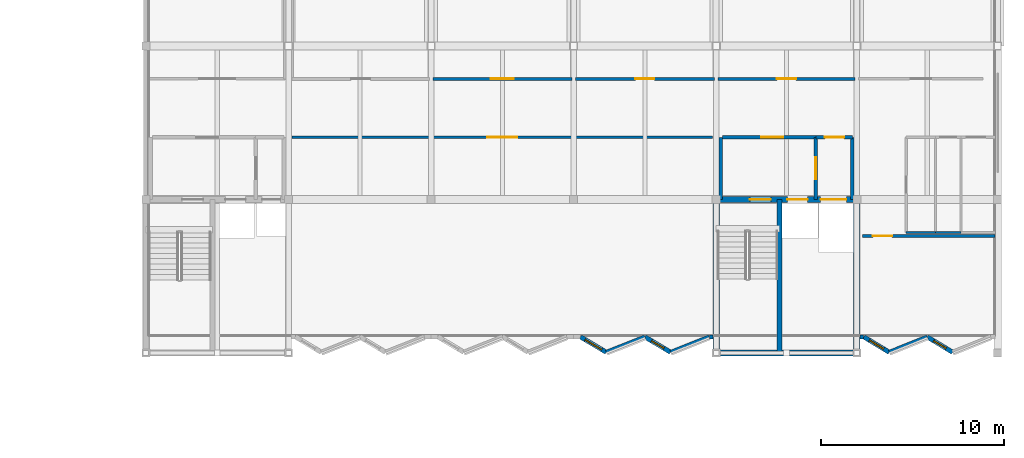
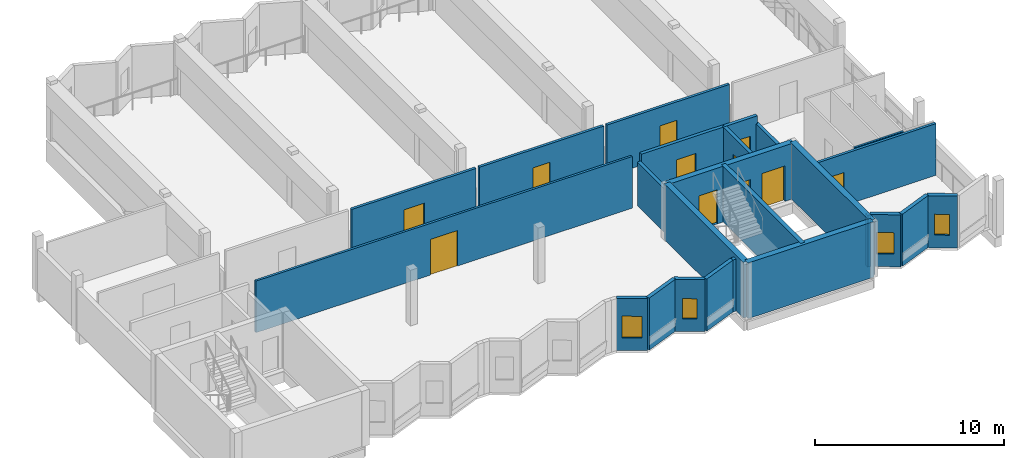
# One storey, part 26 of 34: 26 walls, 11 doors, 4 windows, 15 openings.
"""IFC4 building model written with IfcOpenShell, lengths in metres."""

from ifc_helpers import new_model, si_unit, direction, frame, frame_2d, origin, place, context, subcontext, project, spatial, rectangle, extrude, material, layer, layer_set, type_object, element, fill, save


model = new_model("IFC4")

# Units and contexts
model_context = context("Model", 3, precision=1e-05, world=origin(), true_north=direction((0.0, 1.0)))
body_context = subcontext(model_context, "Body", "Model", "MODEL_VIEW")
ifc_project = project(units=[si_unit("LENGTHUNIT", "METRE"), si_unit("AREAUNIT", "SQUARE_METRE"), si_unit("VOLUMEUNIT", "CUBIC_METRE"), si_unit("PLANEANGLEUNIT", "RADIAN"), si_unit("MASSUNIT", "GRAM", prefix="KILO")], contexts=[model_context])

# Site, building, storey
site_placement = place(None, origin())
site = spatial("IfcSite", under=ifc_project, at=site_placement, CompositionType="ELEMENT")
building_placement = place(site_placement, origin())
building = spatial("IfcBuilding", under=site, at=building_placement, Name="Vharandega Faculty of Natural Sciences", CompositionType="ELEMENT")
storey_placement = place(building_placement, frame((0.0, 0.0, 21.60009765625)))
storey = spatial("IfcBuildingStorey", under=building, at=storey_placement, Name="L05", CompositionType="ELEMENT", Elevation=21.60009765625)

# Walls
ifc_material_1 = material(Name="Concrete C40/50", Category="concrete")
ifc_layer_1 = layer(ifc_material_1, 0.35009765625, Name="Concrete C40/50")
ifc_layer_set_1 = layer_set([ifc_layer_1], Name="Concrete C40/50")
wall_type_1 = type_object("IfcWallType", Name="Core Shear Wall 350", PredefinedType="SHEAR", material=ifc_layer_set_1)
wall_1_placement = place(storey_placement, frame((146.0, 64.0, 0.0), z_axis=(0.0, 0.0, 1.0), x_axis=(1.0, 0.0, 0.0)))
element("IfcWall", 1, at=wall_1_placement, inside=storey, type_object=wall_type_1, Name="Interior Wall CW-C2-L05-S", PredefinedType="SHEAR", context=body_context, shape_type="SweptSolid", body=[
    extrude(rectangle(XDim=7.699951171875, YDim=0.35009765625, at=frame_2d((3.85009765625, 0.0))), origin(), (0.0, 0.0, 1.0), 3.599853515625),
])
for number, where, z_axis, x_axis, name in (
    (2, (146.0, 64.0, 0.0), (0.0, 0.0, 1.0), (0.0, 1.0, 0.0), "Interior Wall CW-C2-L05-W"),
    (3, (153.699951171875, 64.0, 0.0), (0.0, 0.0, 1.0), (0.0, 1.0, 0.0), "Interior Wall CW-C2-L05-E"),
):
    element("IfcWall", number, at=place(storey_placement, frame(where, z_axis=z_axis, x_axis=x_axis)), inside=storey, type_object=wall_type_1, Name=name, PredefinedType="SHEAR", context=body_context, shape_type="SweptSolid", body=[
        extrude(rectangle(XDim=8.39990234375, YDim=0.35009765625, at=frame_2d((4.199951171875, 0.0))), origin(), (0.0, 0.0, 1.0), 3.599853515625),
    ])

# Wall, openings, doors
wall_2_placement = place(storey_placement, frame((146.0, 72.39990234375, 0.0), z_axis=(0.0, 0.0, 1.0), x_axis=(1.0, 0.0, 0.0)))
wall_2 = element("IfcWall", 4, at=wall_2_placement, inside=storey, type_object=wall_type_1, Name="Interior Wall CW-C2-L05-N", PredefinedType="SHEAR", context=body_context, shape_type="SweptSolid", body=[
    extrude(rectangle(XDim=7.699951171875, YDim=0.35009765625, at=frame_2d((3.85009765625, 0.0))), origin(), (0.0, 0.0, 1.0), 3.599853515625),
])
opening_1_placement = place(wall_2_placement, frame((1.85009765625, 0.0, 0.0)))
opening_1 = element("IfcOpeningElement", 5, at=opening_1_placement, cuts=wall_2, Name="Opening FD1", PredefinedType="OPENING", context=body_context, shape_type="SweptSolid", body=[
    extrude(rectangle(XDim=1.14990234375, YDim=2.199951171875, at=frame_2d((0.574951171875, 1.10009765625))), frame((0.0, 0.18505859375, 0.0), z_axis=(0.0, -1.0, 0.0), x_axis=(1.0, 0.0, 0.0)), (0.0, 0.0, 1.0), 0.3701171875),
])
opening_2_placement = place(wall_2_placement, frame((3.89990234375, 0.0, 0.0)))
opening_2 = element("IfcOpeningElement", 6, at=opening_2_placement, cuts=wall_2, Name="Opening LD-FL2-L05", PredefinedType="OPENING", context=body_context, shape_type="SweptSolid", body=[
    extrude(rectangle(XDim=1.10009765625, YDim=2.14990234375, at=frame_2d((0.550048828125, 1.074951171875))), frame((0.0, 0.18505859375, 0.0), z_axis=(0.0, -1.0, 0.0), x_axis=(1.0, 0.0, 0.0)), (0.0, 0.0, 1.0), 0.3701171875),
])
opening_3_placement = place(wall_2_placement, frame((5.719970703125, 0.0, 0.0)))
opening_3 = element("IfcOpeningElement", 7, at=opening_3_placement, cuts=wall_2, Name="Opening LD-LG1-L05", PredefinedType="OPENING", context=body_context, shape_type="SweptSolid", body=[
    extrude(rectangle(XDim=1.39990234375, YDim=2.300048828125, at=frame_2d((0.699951171875, 1.14990234375))), frame((0.0, 0.18505859375, 0.0), z_axis=(0.0, -1.0, 0.0), x_axis=(1.0, 0.0, 0.0)), (0.0, 0.0, 1.0), 0.3701171875),
])
ifc_material_2 = material(Name="Solid-core hardwood timber fire door", Category="wood")
door_type_1 = type_object("IfcDoorType", Name="FD1-STAIR-1150x2200", OperationType="NOTDEFINED", PredefinedType="DOOR", material=ifc_material_2)
door_1_placement = place(opening_1_placement, origin())
door_1 = element("IfcDoor", 8, at=door_1_placement, inside=storey, type_object=door_type_1, Name="Stair ST2 Fire Door FD1", OperationType="SINGLE_SWING_LEFT", OverallHeight=2.199951171875, OverallWidth=1.14990234375, PredefinedType="DOOR", context=body_context, shape_type="SweptSolid", body=[
    extrude(rectangle(XDim=1.14990234375, YDim=2.199951171875, at=frame_2d((0.574951171875, 1.10009765625))), frame((0.0, 0.02490234375, 0.0), z_axis=(0.0, -1.0, 0.0), x_axis=(1.0, 0.0, 0.0)), (0.0, 0.0, 1.0), 0.050048828125),
])
fill(opening_1, door_1)
ifc_material_3 = material(Name="Brushed stainless steel sliding landing door", Category="steel")
door_type_2 = type_object("IfcDoorType", Name="LD1-FFLIFT-SLIDING-1100x2150", OperationType="DOUBLE_DOOR_SLIDING", PredefinedType="DOOR", material=ifc_material_3)
door_2_placement = place(opening_2_placement, origin())
door_2 = element("IfcDoor", 9, at=door_2_placement, inside=storey, type_object=door_type_2, Name="Lift Landing Door LD-FL2-L05", OperationType="DOUBLE_DOOR_SLIDING", OverallHeight=2.14990234375, OverallWidth=1.10009765625, PredefinedType="DOOR", context=body_context, shape_type="SweptSolid", body=[
    extrude(rectangle(XDim=1.10009765625, YDim=2.14990234375, at=frame_2d((0.550048828125, 1.074951171875))), frame((0.0, 0.02490234375, 0.0), z_axis=(0.0, -1.0, 0.0), x_axis=(1.0, 0.0, 0.0)), (0.0, 0.0, 1.0), 0.050048828125),
])
fill(opening_2, door_2)
ifc_material_4 = material(Name="Brushed stainless steel sliding landing door", Category="steel")
door_type_3 = type_object("IfcDoorType", Name="LD3-GOODSLIFT-SLIDING-1400x2300", OperationType="DOUBLE_DOOR_SLIDING", PredefinedType="DOOR", material=ifc_material_4)
door_3_placement = place(opening_3_placement, origin())
door_3 = element("IfcDoor", 10, at=door_3_placement, inside=storey, type_object=door_type_3, Name="Lift Landing Door LD-LG1-L05", OperationType="DOUBLE_DOOR_SLIDING", OverallHeight=2.300048828125, OverallWidth=1.39990234375, PredefinedType="DOOR", context=body_context, shape_type="SweptSolid", body=[
    extrude(rectangle(XDim=1.39990234375, YDim=2.300048828125, at=frame_2d((0.699951171875, 1.14990234375))), frame((0.0, 0.02490234375, 0.0), z_axis=(0.0, -1.0, 0.0), x_axis=(1.0, 0.0, 0.0)), (0.0, 0.0, 1.0), 0.050048828125),
])
fill(opening_3, door_3)

# Wall, opening, door
ifc_material_5 = material(Name="Concrete C40/50", Category="concrete")
ifc_layer_2 = layer(ifc_material_5, 0.199951171875, Name="Concrete C40/50")
ifc_layer_set_2 = layer_set([ifc_layer_2], Name="Concrete C40/50")
wall_type_2 = type_object("IfcWallType", Name="Firefighting Lobby Wall 200", PredefinedType="PARTITIONING", material=ifc_layer_set_2)
wall_3_placement = place(storey_placement, frame((146.35009765625, 75.800048828125, 0.0), z_axis=(0.0, 0.0, 1.0), x_axis=(1.0, 0.0, 0.0)))
wall_3 = element("IfcWall", 11, at=wall_3_placement, inside=storey, type_object=wall_type_2, Name="Interior Wall PW-FFL-C2-L05-N", PredefinedType="PARTITIONING", context=body_context, shape_type="SweptSolid", body=[
    extrude(rectangle(XDim=5.099853515625, YDim=0.199951171875, at=frame_2d((2.5498046875, 0.0))), origin(), (0.0, 0.0, 1.0), 3.31982421875),
])
opening_4_placement = place(wall_3_placement, frame((2.125, 0.0, 0.0)))
opening_4 = element("IfcOpeningElement", 12, at=opening_4_placement, cuts=wall_3, Name="Opening FD2", PredefinedType="OPENING", context=body_context, shape_type="SweptSolid", body=[
    extrude(rectangle(XDim=1.199951171875, YDim=2.199951171875, at=frame_2d((0.60009765625, 1.10009765625))), frame((0.0, 0.10986328125, 0.0), z_axis=(0.0, -1.0, 0.0), x_axis=(1.0, 0.0, 0.0)), (0.0, 0.0, 1.0), 0.219970703125),
])
ifc_material_6 = material(Name="Solid-core hardwood timber fire door", Category="wood")
door_type_4 = type_object("IfcDoorType", Name="FD2-FFLOBBY-1200x2200", OperationType="NOTDEFINED", PredefinedType="DOOR", material=ifc_material_6)
door_4_placement = place(opening_4_placement, origin())
door_4 = element("IfcDoor", 13, at=door_4_placement, inside=storey, type_object=door_type_4, Name="Firefighting Lobby C2 Door FD2", OperationType="SINGLE_SWING_LEFT", OverallHeight=2.199951171875, OverallWidth=1.199951171875, PredefinedType="DOOR", context=body_context, shape_type="SweptSolid", body=[
    extrude(rectangle(XDim=1.199951171875, YDim=2.199951171875, at=frame_2d((0.60009765625, 1.10009765625))), frame((0.0, 0.02490234375, 0.0), z_axis=(0.0, -1.0, 0.0), x_axis=(1.0, 0.0, 0.0)), (0.0, 0.0, 1.0), 0.050048828125),
])
fill(opening_4, door_4)

# Wall
wall_4_placement = place(storey_placement, frame((146.25, 72.39990234375, 0.0), z_axis=(0.0, 0.0, 1.0), x_axis=(0.0, 1.0, 0.0)))
element("IfcWall", 14, at=wall_4_placement, inside=storey, type_object=wall_type_2, Name="Interior Wall PW-FFL-C2-L05-W", PredefinedType="PARTITIONING", context=body_context, shape_type="SweptSolid", body=[
    extrude(rectangle(XDim=3.400146484375, YDim=0.199951171875, at=frame_2d((1.7001953125, 0.0))), origin(), (0.0, 0.0, 1.0), 2.81982421875),
])

# Wall, opening, door
wall_5_placement = place(storey_placement, frame((151.449951171875, 72.39990234375, 0.0), z_axis=(0.0, 0.0, 1.0), x_axis=(0.0, 1.0, 0.0)))
wall_5 = element("IfcWall", 15, at=wall_5_placement, inside=storey, type_object=wall_type_2, Name="Interior Wall PW-FFL-C2-L05-E", PredefinedType="PARTITIONING", context=body_context, shape_type="SweptSolid", body=[
    extrude(rectangle(XDim=3.400146484375, YDim=0.199951171875, at=frame_2d((1.7001953125, 0.0))), origin(), (0.0, 0.0, 1.0), 3.31982421875),
])
opening_5_placement = place(wall_5_placement, frame((1.10009765625, 0.0, 0.0)))
opening_5 = element("IfcOpeningElement", 16, at=opening_5_placement, cuts=wall_5, Name="Opening FD2", PredefinedType="OPENING", context=body_context, shape_type="SweptSolid", body=[
    extrude(rectangle(XDim=1.199951171875, YDim=2.199951171875, at=frame_2d((0.60009765625, 1.10009765625))), frame((0.0, 0.10986328125, 0.0), z_axis=(0.0, -1.0, 0.0), x_axis=(1.0, 0.0, 0.0)), (0.0, 0.0, 1.0), 0.219970703125),
])
door_5_placement = place(opening_5_placement, origin())
door_5 = element("IfcDoor", 17, at=door_5_placement, inside=storey, type_object=door_type_4, Name="Lobby Interconnect C2 Door FD2", OperationType="SINGLE_SWING_RIGHT", OverallHeight=2.199951171875, OverallWidth=1.199951171875, PredefinedType="DOOR", context=body_context, shape_type="SweptSolid", body=[
    extrude(rectangle(XDim=1.199951171875, YDim=2.199951171875, at=frame_2d((0.60009765625, 1.10009765625))), frame((0.0, 0.02490234375, 0.0), z_axis=(0.0, -1.0, 0.0), x_axis=(1.0, 0.0, 0.0)), (0.0, 0.0, 1.0), 0.050048828125),
])
fill(opening_5, door_5)

wall_6_placement = place(storey_placement, frame((151.449951171875, 75.800048828125, 0.0), z_axis=(0.0, 0.0, 1.0), x_axis=(1.0, 0.0, 0.0)))
wall_6 = element("IfcWall", 18, at=wall_6_placement, inside=storey, type_object=wall_type_2, Name="Interior Wall PW-LL-C2-L05-N", PredefinedType="PARTITIONING", context=body_context, shape_type="SweptSolid", body=[
    extrude(rectangle(XDim=2.0, YDim=0.199951171875, at=frame_2d((1.0, 0.0))), origin(), (0.0, 0.0, 1.0), 3.31982421875),
])
opening_6_placement = place(wall_6_placement, frame((0.5, 0.0, 0.0)))
opening_6 = element("IfcOpeningElement", 19, at=opening_6_placement, cuts=wall_6, Name="Opening FD4", PredefinedType="OPENING", context=body_context, shape_type="SweptSolid", body=[
    extrude(rectangle(XDim=1.050048828125, YDim=2.14990234375, at=frame_2d((0.52490234375, 1.074951171875))), frame((0.0, 0.10986328125, 0.0), z_axis=(0.0, -1.0, 0.0), x_axis=(1.0, 0.0, 0.0)), (0.0, 0.0, 1.0), 0.219970703125),
])
ifc_material_7 = material(Name="Solid-core hardwood timber fire door", Category="wood")
door_type_5 = type_object("IfcDoorType", Name="FD4-LAB-SGL-1050x2150", OperationType="NOTDEFINED", PredefinedType="DOOR", material=ifc_material_7)
door_6_placement = place(opening_6_placement, origin())
door_6 = element("IfcDoor", 20, at=door_6_placement, inside=storey, type_object=door_type_5, Name="Lift Lobby C2 Door FD4", OperationType="SINGLE_SWING_LEFT", OverallHeight=2.14990234375, OverallWidth=1.050048828125, PredefinedType="DOOR", context=body_context, shape_type="SweptSolid", body=[
    extrude(rectangle(XDim=1.050048828125, YDim=2.14990234375, at=frame_2d((0.52490234375, 1.074951171875))), frame((0.0, 0.02490234375, 0.0), z_axis=(0.0, -1.0, 0.0), x_axis=(1.0, 0.0, 0.0)), (0.0, 0.0, 1.0), 0.050048828125),
])
fill(opening_6, door_6)

# Wall
wall_7_placement = place(storey_placement, frame((153.449951171875, 72.39990234375, 0.0), z_axis=(0.0, 0.0, 1.0), x_axis=(0.0, 1.0, 0.0)))
element("IfcWall", 21, at=wall_7_placement, inside=storey, type_object=wall_type_2, Name="Interior Wall PW-LL-C2-L05-E", PredefinedType="PARTITIONING", context=body_context, shape_type="SweptSolid", body=[
    extrude(rectangle(XDim=3.400146484375, YDim=0.199951171875, at=frame_2d((1.7001953125, 0.0))), origin(), (0.0, 0.0, 1.0), 2.81982421875),
])

# Wall, opening, door
ifc_material_8 = material(Name="Gypsum fire-board on steel stud", Category="steel")
ifc_layer_3 = layer(ifc_material_8, 0.159912109375, Name="Gypsum fire-board on steel stud")
ifc_layer_set_3 = layer_set([ifc_layer_3], Name="Gypsum fire-board on steel stud")
wall_type_3 = type_object("IfcWallType", Name="Laboratory Fire Corridor Wall 160", PredefinedType="PARTITIONING", material=ifc_layer_set_3)
wall_8_placement = place(storey_placement, frame((154.0, 70.39990234375, 0.0), z_axis=(0.0, 0.0, 1.0), x_axis=(1.0, 0.0, 0.0)))
wall_8 = element("IfcWall", 22, at=wall_8_placement, inside=storey, type_object=wall_type_3, Name="Interior Wall PW-L05-R10N", PredefinedType="PARTITIONING", context=body_context, shape_type="SweptSolid", body=[
    extrude(rectangle(XDim=7.260009765625, YDim=0.159912109375, at=frame_2d((3.6298828125, 0.0))), origin(), (0.0, 0.0, 1.0), 3.33984375),
])
opening_7_placement = place(wall_8_placement, frame((0.574951171875, 0.0, 0.0)))
opening_7 = element("IfcOpeningElement", 23, at=opening_7_placement, cuts=wall_8, Name="Opening FD4", PredefinedType="OPENING", context=body_context, shape_type="SweptSolid", body=[
    extrude(rectangle(XDim=1.050048828125, YDim=2.14990234375, at=frame_2d((0.52490234375, 1.074951171875))), frame((0.0, 0.08984375, 0.0), z_axis=(0.0, -1.0, 0.0), x_axis=(1.0, 0.0, 0.0)), (0.0, 0.0, 1.0), 0.179931640625),
])
door_7_placement = place(opening_7_placement, origin())
door_7 = element("IfcDoor", 24, at=door_7_placement, inside=storey, type_object=door_type_5, Name="L05 Laboratory Manager Office Door FD4", OperationType="SINGLE_SWING_RIGHT", OverallHeight=2.14990234375, OverallWidth=1.050048828125, PredefinedType="DOOR", context=body_context, shape_type="SweptSolid", body=[
    extrude(rectangle(XDim=1.050048828125, YDim=2.14990234375, at=frame_2d((0.52490234375, 1.074951171875))), frame((0.0, 0.02490234375, 0.0), z_axis=(0.0, -1.0, 0.0), x_axis=(1.0, 0.0, 0.0)), (0.0, 0.0, 1.0), 0.050048828125),
])
fill(opening_7, door_7)

wall_9_placement = place(storey_placement, frame((130.5, 79.0, 0.0), z_axis=(0.0, 0.0, 1.0), x_axis=(1.0, 0.0, 0.0)))
wall_9 = element("IfcWall", 25, at=wall_9_placement, inside=storey, type_object=wall_type_3, Name="Interior Wall PW-L05-R12S", PredefinedType="PARTITIONING", context=body_context, shape_type="SweptSolid", body=[
    extrude(rectangle(XDim=7.60009765625, YDim=0.159912109375, at=frame_2d((3.800048828125, 0.0))), origin(), (0.0, 0.0, 1.0), 3.33984375),
])
opening_8_placement = place(wall_9_placement, frame((3.175048828125, 0.0, 0.0)))
opening_8 = element("IfcOpeningElement", 26, at=opening_8_placement, cuts=wall_9, Name="Opening D0318", PredefinedType="OPENING", context=body_context, shape_type="SweptSolid", body=[
    extrude(rectangle(XDim=1.25, YDim=2.199951171875, at=frame_2d((0.625, 1.10009765625))), frame((0.0, 0.08984375, 0.0), z_axis=(0.0, -1.0, 0.0), x_axis=(1.0, 0.0, 0.0)), (0.0, 0.0, 1.0), 0.179931640625),
])
ifc_material_9 = material(Name="Solid-core hardwood timber fire door", Category="wood")
door_type_6 = type_object("IfcDoorType", Name="ID13-PREP-1250x2200", OperationType="NOTDEFINED", PredefinedType="DOOR", material=ifc_material_9)
door_8_placement = place(opening_8_placement, origin())
door_8 = element("IfcDoor", 27, at=door_8_placement, inside=storey, type_object=door_type_6, Name="Catalysis and Polymer Chemistry Laboratory Door D0318", OperationType="SINGLE_SWING_RIGHT", OverallHeight=2.199951171875, OverallWidth=1.25, PredefinedType="DOOR", context=body_context, shape_type="SweptSolid", body=[
    extrude(rectangle(XDim=1.25, YDim=2.199951171875, at=frame_2d((0.625, 1.10009765625))), frame((0.0, 0.02490234375, 0.0), z_axis=(0.0, -1.0, 0.0), x_axis=(1.0, 0.0, 0.0)), (0.0, 0.0, 1.0), 0.050048828125),
])
fill(opening_8, door_8)

wall_10_placement = place(storey_placement, frame((138.300048828125, 79.0, 0.0), z_axis=(0.0, 0.0, 1.0), x_axis=(1.0, 0.0, 0.0)))
wall_10 = element("IfcWall", 28, at=wall_10_placement, inside=storey, type_object=wall_type_3, Name="Interior Wall PW-L05-R13S", PredefinedType="PARTITIONING", context=body_context, shape_type="SweptSolid", body=[
    extrude(rectangle(XDim=7.599853515625, YDim=0.159912109375, at=frame_2d((3.7998046875, 0.0))), origin(), (0.0, 0.0, 1.0), 3.33984375),
])
opening_9_placement = place(wall_10_placement, frame((3.27490234375, 0.0, 0.0)))
opening_9 = element("IfcOpeningElement", 29, at=opening_9_placement, cuts=wall_10, Name="Opening FD4", PredefinedType="OPENING", context=body_context, shape_type="SweptSolid", body=[
    extrude(rectangle(XDim=1.050048828125, YDim=2.14990234375, at=frame_2d((0.52490234375, 1.074951171875))), frame((0.0, 0.08984375, 0.0), z_axis=(0.0, -1.0, 0.0), x_axis=(1.0, 0.0, 0.0)), (0.0, 0.0, 1.0), 0.179931640625),
])
door_9_placement = place(opening_9_placement, origin())
door_9 = element("IfcDoor", 30, at=door_9_placement, inside=storey, type_object=door_type_5, Name="Electrochemistry Synthesis Laboratory Door FD4", OperationType="SINGLE_SWING_LEFT", OverallHeight=2.14990234375, OverallWidth=1.050048828125, PredefinedType="DOOR", context=body_context, shape_type="SweptSolid", body=[
    extrude(rectangle(XDim=1.050048828125, YDim=2.14990234375, at=frame_2d((0.52490234375, 1.074951171875))), frame((0.0, 0.02490234375, 0.0), z_axis=(0.0, -1.0, 0.0), x_axis=(1.0, 0.0, 0.0)), (0.0, 0.0, 1.0), 0.050048828125),
])
fill(opening_9, door_9)

wall_11_placement = place(storey_placement, frame((146.10009765625, 79.0, 0.0), z_axis=(0.0, 0.0, 1.0), x_axis=(1.0, 0.0, 0.0)))
wall_11 = element("IfcWall", 31, at=wall_11_placement, inside=storey, type_object=wall_type_3, Name="Interior Wall PW-L05-R14S", PredefinedType="PARTITIONING", context=body_context, shape_type="SweptSolid", body=[
    extrude(rectangle(XDim=7.5, YDim=0.159912109375, at=frame_2d((3.75, 0.0))), origin(), (0.0, 0.0, 1.0), 3.33984375),
])
opening_10_placement = place(wall_11_placement, frame((3.22509765625, 0.0, 0.0)))
opening_10 = element("IfcOpeningElement", 32, at=opening_10_placement, cuts=wall_11, Name="Opening FD4", PredefinedType="OPENING", context=body_context, shape_type="SweptSolid", body=[
    extrude(rectangle(XDim=1.050048828125, YDim=2.14990234375, at=frame_2d((0.52490234375, 1.074951171875))), frame((0.0, 0.08984375, 0.0), z_axis=(0.0, -1.0, 0.0), x_axis=(1.0, 0.0, 0.0)), (0.0, 0.0, 1.0), 0.179931640625),
])
door_10_placement = place(opening_10_placement, origin())
door_10 = element("IfcDoor", 33, at=door_10_placement, inside=storey, type_object=door_type_5, Name="Photochemistry Instrumentation Laboratory Door FD4", OperationType="SINGLE_SWING_RIGHT", OverallHeight=2.14990234375, OverallWidth=1.050048828125, PredefinedType="DOOR", context=body_context, shape_type="SweptSolid", body=[
    extrude(rectangle(XDim=1.050048828125, YDim=2.14990234375, at=frame_2d((0.52490234375, 1.074951171875))), frame((0.0, 0.02490234375, 0.0), z_axis=(0.0, -1.0, 0.0), x_axis=(1.0, 0.0, 0.0)), (0.0, 0.0, 1.0), 0.050048828125),
])
fill(opening_10, door_10)

# Wall
ifc_material_10 = material(Name="Concrete C40/50", Category="concrete")
ifc_layer_4 = layer(ifc_material_10, 0.260009765625, Name="Concrete C40/50")
ifc_layer_set_4 = layer_set([ifc_layer_4], Name="Concrete C40/50")
wall_type_4 = type_object("IfcWallType", Name="Lift Shaft Shear Wall 260", PredefinedType="SHEAR", material=ifc_layer_set_4)
wall_12_placement = place(storey_placement, frame((149.4599609375, 64.0, 0.0), z_axis=(0.0, 0.0, 1.0), x_axis=(0.0, 1.0, 0.0)))
element("IfcWall", 34, at=wall_12_placement, inside=storey, type_object=wall_type_4, Name="Interior Wall CW-C2-L05-DIV", PredefinedType="SHEAR", context=body_context, shape_type="SweptSolid", body=[
    extrude(rectangle(XDim=8.39990234375, YDim=0.260009765625, at=frame_2d((4.199951171875, 0.0))), origin(), (0.0, 0.0, 1.0), 3.599853515625),
])

# Wall, opening, door
ifc_material_11 = material(Name="Gypsum acoustic partition", Category="gypsum")
ifc_layer_5 = layer(ifc_material_11, 0.139892578125, Name="Gypsum acoustic partition")
ifc_layer_set_5 = layer_set([ifc_layer_5], Name="Gypsum acoustic partition")
wall_type_5 = type_object("IfcWallType", Name="Room Partition Wall 140", PredefinedType="PARTITIONING", material=ifc_layer_set_5)
wall_13_placement = place(storey_placement, frame((122.800048828125, 75.800048828125, 0.0), z_axis=(0.0, 0.0, 1.0), x_axis=(1.0, 0.0, 0.0)))
wall_13 = element("IfcWall", 35, at=wall_13_placement, inside=storey, type_object=wall_type_5, Name="Interior Wall PW-L05-R06N", PredefinedType="PARTITIONING", context=body_context, shape_type="SweptSolid", body=[
    extrude(rectangle(XDim=23.0, YDim=0.139892578125, at=frame_2d((11.5, 0.0))), origin(), (0.0, 0.0, 1.0), 3.33984375),
])
opening_11_placement = place(wall_13_placement, frame((10.675048828125, 0.0, 0.0)))
opening_11 = element("IfcOpeningElement", 36, at=opening_11_placement, cuts=wall_13, Name="Opening D0312", PredefinedType="OPENING", context=body_context, shape_type="SweptSolid", body=[
    extrude(rectangle(XDim=1.64990234375, YDim=2.300048828125, at=frame_2d((0.824951171875, 1.14990234375))), frame((0.0, 0.080078125, 0.0), z_axis=(0.0, -1.0, 0.0), x_axis=(1.0, 0.0, 0.0)), (0.0, 0.0, 1.0), 0.159912109375),
])
ifc_material_12 = material(Name="Solid-core hardwood timber fire door", Category="wood")
door_type_7 = type_object("IfcDoorType", Name="ID11-BOARDROOM-DBL-1650x2300", OperationType="DOUBLE_DOOR_SINGLE_SWING", PredefinedType="DOOR", material=ifc_material_12)
door_11_placement = place(opening_11_placement, origin())
door_11 = element("IfcDoor", 37, at=door_11_placement, inside=storey, type_object=door_type_7, Name="Analytical Mass-Spectrometry Suite Door D0312", OperationType="DOUBLE_DOOR_SINGLE_SWING", OverallHeight=2.300048828125, OverallWidth=1.64990234375, PredefinedType="DOOR", context=body_context, shape_type="SweptSolid", body=[
    extrude(rectangle(XDim=1.64990234375, YDim=2.300048828125, at=frame_2d((0.824951171875, 1.14990234375))), frame((0.0, 0.02490234375, 0.0), z_axis=(0.0, -1.0, 0.0), x_axis=(1.0, 0.0, 0.0)), (0.0, 0.0, 1.0), 0.050048828125),
])
fill(opening_11, door_11)

# Walls
ifc_material_13 = material(Name="Moisture-resistant gypsum partition", Category="gypsum")
ifc_layer_6 = layer(ifc_material_13, 0.1201171875, Name="Moisture-resistant gypsum partition")
ifc_layer_set_6 = layer_set([ifc_layer_6], Name="Moisture-resistant gypsum partition")
wall_type_6 = type_object("IfcWallType", Name="Sanitary Wet Wall 120", PredefinedType="PARTITIONING", material=ifc_layer_set_6)
wall_14_placement = place(storey_placement, frame((156.39990234375, 70.60009765625, 0.0), z_axis=(0.0, 0.0, 1.0), x_axis=(1.0, 0.0, 0.0)))
element("IfcWall", 38, at=wall_14_placement, inside=storey, type_object=wall_type_6, Name="Interior Wall PW-L05-R07S", PredefinedType="PARTITIONING", context=body_context, shape_type="SweptSolid", body=[
    extrude(rectangle(XDim=1.60009765625, YDim=0.1201171875, at=frame_2d((0.800048828125, 0.0))), origin(), (0.0, 0.0, 1.0), 3.33984375),
])
wall_15_placement = place(storey_placement, frame((158.0, 70.60009765625, 0.0), z_axis=(0.0, 0.0, 1.0), x_axis=(1.0, 0.0, 0.0)))
element("IfcWall", 39, at=wall_15_placement, inside=storey, type_object=wall_type_6, Name="Interior Wall PW-L05-R08S", PredefinedType="PARTITIONING", context=body_context, shape_type="SweptSolid", body=[
    extrude(rectangle(XDim=1.39990234375, YDim=0.1201171875, at=frame_2d((0.699951171875, 0.0))), origin(), (0.0, 0.0, 1.0), 3.33984375),
])

# Wall, opening, window
ifc_material_14 = material(Name="Precast concrete C40/50", Category="concrete")
ifc_layer_7 = layer(ifc_material_14, 0.25, Name="Precast concrete C40/50")
ifc_layer_set_7 = layer_set([ifc_layer_7], Name="Precast concrete C40/50")
wall_type_7 = type_object("IfcWallType", Name="Sawtooth Glazed-Face Precast Wall 250", PredefinedType="SOLIDWALL", material=ifc_layer_set_7)
wall_16_placement = place(storey_placement, frame((139.988037109375, 64.0400390625, 0.0), z_axis=(0.0, 0.0, 1.0), x_axis=(-0.858817206091, 0.512282155185, 0.0)))
wall_16 = element("IfcWall", 40, at=wall_16_placement, inside=storey, type_object=wall_type_7, Name="Exterior Wall EW-SAW-L05-S05G", PredefinedType="SOLIDWALL", context=body_context, shape_type="SweptSolid", body=[
    extrude(rectangle(XDim=1.639404296875, YDim=0.25, at=frame_2d((0.81982421875, 0.0))), origin(), (0.0, 0.0, 1.0), 3.35986328125),
])
opening_12_placement = place(wall_16_placement, frame((0.294921875, 0.0, 0.820068359375)))
opening_12 = element("IfcOpeningElement", 41, at=opening_12_placement, cuts=wall_16, Name="Opening WN-06", PredefinedType="OPENING", context=body_context, shape_type="SweptSolid", body=[
    extrude(rectangle(XDim=1.050048828125, YDim=1.39990234375, at=frame_2d((0.52490234375, 0.699951171875))), frame((0.0, 0.135009765625, 0.0), z_axis=(0.0, -1.0, 0.0), x_axis=(1.0, 0.0, 0.0)), (0.0, 0.0, 1.0), 0.27001953125),
])
ifc_material_15 = material(Name="Double-glazed solar-control glass in thermally broken aluminium frame", Category="aluminium")
window_type_1 = type_object("IfcWindowType", Name="WIN-SAW-105x140", PartitioningType="SINGLE_PANEL", PredefinedType="WINDOW", material=ifc_material_15)
window_1_placement = place(opening_12_placement, origin())
window_1 = element("IfcWindow", 42, at=window_1_placement, inside=storey, type_object=window_type_1, Name="Window WIN-L05-0023", OverallHeight=1.39990234375, OverallWidth=1.050048828125, PartitioningType="SINGLE_PANEL", PredefinedType="WINDOW", context=body_context, shape_type="SweptSolid", body=[
    extrude(rectangle(XDim=1.050048828125, YDim=1.39990234375, at=frame_2d((0.52490234375, 0.699951171875))), frame((0.0, 0.030029296875, 0.0), z_axis=(0.0, -1.0, 0.0), x_axis=(1.0, 0.0, 0.0)), (0.0, 0.0, 1.0), 0.06005859375),
])
fill(opening_12, window_1)

wall_17_placement = place(storey_placement, frame((143.508056640625, 64.0400390625, 0.0), z_axis=(0.0, 0.0, 1.0), x_axis=(-0.858817206091, 0.512282155185, 0.0)))
wall_17 = element("IfcWall", 43, at=wall_17_placement, inside=storey, type_object=wall_type_7, Name="Exterior Wall EW-SAW-L05-S06G", PredefinedType="SOLIDWALL", context=body_context, shape_type="SweptSolid", body=[
    extrude(rectangle(XDim=1.639404296875, YDim=0.25, at=frame_2d((0.81982421875, 0.0))), origin(), (0.0, 0.0, 1.0), 3.35986328125),
])
opening_13_placement = place(wall_17_placement, frame((0.4296875, 0.0, 0.820068359375)))
opening_13 = element("IfcOpeningElement", 44, at=opening_13_placement, cuts=wall_17, Name="Opening WN-06A", PredefinedType="OPENING", context=body_context, shape_type="SweptSolid", body=[
    extrude(rectangle(XDim=0.780029296875, YDim=1.300048828125, at=frame_2d((0.39013671875, 0.64990234375))), frame((0.0, 0.135009765625, 0.0), z_axis=(0.0, -1.0, 0.0), x_axis=(1.0, 0.0, 0.0)), (0.0, 0.0, 1.0), 0.27001953125),
])
ifc_material_16 = material(Name="Double-glazed solar-control glass in thermally broken aluminium frame", Category="aluminium")
window_type_2 = type_object("IfcWindowType", Name="WIN-SAW-078x130", PartitioningType="SINGLE_PANEL", PredefinedType="WINDOW", material=ifc_material_16)
window_2_placement = place(opening_13_placement, origin())
window_2 = element("IfcWindow", 45, at=window_2_placement, inside=storey, type_object=window_type_2, Name="Window WIN-L05-0024", OverallHeight=1.300048828125, OverallWidth=0.780029296875, PartitioningType="SINGLE_PANEL", PredefinedType="WINDOW", context=body_context, shape_type="SweptSolid", body=[
    extrude(rectangle(XDim=0.780029296875, YDim=1.300048828125, at=frame_2d((0.39013671875, 0.64990234375))), frame((0.0, 0.030029296875, 0.0), z_axis=(0.0, -1.0, 0.0), x_axis=(1.0, 0.0, 0.0)), (0.0, 0.0, 1.0), 0.06005859375),
])
fill(opening_13, window_2)

wall_18_placement = place(storey_placement, frame((155.468017578125, 64.0400390625, 0.0), z_axis=(0.0, 0.0, 1.0), x_axis=(-0.855561475997, 0.51770122734, 0.0)))
wall_18 = element("IfcWall", 46, at=wall_18_placement, inside=storey, type_object=wall_type_7, Name="Exterior Wall EW-SAW-L05-S07G", PredefinedType="SOLIDWALL", context=body_context, shape_type="SweptSolid", body=[
    extrude(rectangle(XDim=1.622314453125, YDim=0.25, at=frame_2d((0.81103515625, 0.0))), origin(), (0.0, 0.0, 1.0), 3.35986328125),
])
opening_14_placement = place(wall_18_placement, frame((0.351318359375, 0.0, 0.820068359375)))
opening_14 = element("IfcOpeningElement", 47, at=opening_14_placement, cuts=wall_18, Name="Opening WN-06B", PredefinedType="OPENING", context=body_context, shape_type="SweptSolid", body=[
    extrude(rectangle(XDim=0.919921875, YDim=1.3798828125, at=frame_2d((0.4599609375, 0.68994140625))), frame((0.0, 0.135009765625, 0.0), z_axis=(0.0, -1.0, 0.0), x_axis=(1.0, 0.0, 0.0)), (0.0, 0.0, 1.0), 0.27001953125),
])
ifc_material_17 = material(Name="Double-glazed solar-control glass in thermally broken aluminium frame", Category="aluminium")
window_type_3 = type_object("IfcWindowType", Name="WIN-SAW-092x138", PartitioningType="SINGLE_PANEL", PredefinedType="WINDOW", material=ifc_material_17)
window_3_placement = place(opening_14_placement, origin())
window_3 = element("IfcWindow", 48, at=window_3_placement, inside=storey, type_object=window_type_3, Name="Window WIN-L05-0025", OverallHeight=1.3798828125, OverallWidth=0.919921875, PartitioningType="SINGLE_PANEL", PredefinedType="WINDOW", context=body_context, shape_type="SweptSolid", body=[
    extrude(rectangle(XDim=0.919921875, YDim=1.3798828125, at=frame_2d((0.4599609375, 0.68994140625))), frame((0.0, 0.030029296875, 0.0), z_axis=(0.0, -1.0, 0.0), x_axis=(1.0, 0.0, 0.0)), (0.0, 0.0, 1.0), 0.06005859375),
])
fill(opening_14, window_3)

wall_19_placement = place(storey_placement, frame((158.93798828125, 64.0400390625, 0.0), z_axis=(0.0, 0.0, 1.0), x_axis=(-0.855561475997, 0.51770122734, 0.0)))
wall_19 = element("IfcWall", 49, at=wall_19_placement, inside=storey, type_object=wall_type_7, Name="Exterior Wall EW-SAW-L05-S08G", PredefinedType="SOLIDWALL", context=body_context, shape_type="SweptSolid", body=[
    extrude(rectangle(XDim=1.622314453125, YDim=0.25, at=frame_2d((0.81103515625, 0.0))), origin(), (0.0, 0.0, 1.0), 3.35986328125),
])
opening_15_placement = place(wall_19_placement, frame((0.4111328125, 0.0, 0.820068359375)))
opening_15 = element("IfcOpeningElement", 50, at=opening_15_placement, cuts=wall_19, Name="Opening WN-01", PredefinedType="OPENING", context=body_context, shape_type="SweptSolid", body=[
    extrude(rectangle(XDim=0.800048828125, YDim=1.35009765625, at=frame_2d((0.39990234375, 0.675048828125))), frame((0.0, 0.135009765625, 0.0), z_axis=(0.0, -1.0, 0.0), x_axis=(1.0, 0.0, 0.0)), (0.0, 0.0, 1.0), 0.27001953125),
])
ifc_material_18 = material(Name="Double-glazed solar-control glass in thermally broken aluminium frame", Category="aluminium")
window_type_4 = type_object("IfcWindowType", Name="WIN-SAW-080x135", PartitioningType="SINGLE_PANEL", PredefinedType="WINDOW", material=ifc_material_18)
window_4_placement = place(opening_15_placement, origin())
window_4 = element("IfcWindow", 51, at=window_4_placement, inside=storey, type_object=window_type_4, Name="Window WIN-L05-0026", OverallHeight=1.35009765625, OverallWidth=0.800048828125, PartitioningType="SINGLE_PANEL", PredefinedType="WINDOW", context=body_context, shape_type="SweptSolid", body=[
    extrude(rectangle(XDim=0.800048828125, YDim=1.35009765625, at=frame_2d((0.39990234375, 0.675048828125))), frame((0.0, 0.030029296875, 0.0), z_axis=(0.0, -1.0, 0.0), x_axis=(1.0, 0.0, 0.0)), (0.0, 0.0, 1.0), 0.06005859375),
])
fill(opening_15, window_4)

# Walls
ifc_material_19 = material(Name="Precast concrete C40/50", Category="concrete")
ifc_layer_8 = layer(ifc_material_19, 0.22998046875, Name="Precast concrete C40/50")
ifc_layer_set_8 = layer_set([ifc_layer_8], Name="Precast concrete C40/50")
wall_type_8 = type_object("IfcWallType", Name="Sawtooth Solid White Precast Wall 230", PredefinedType="SOLIDWALL", material=ifc_layer_set_8)
wall_20_placement = place(storey_placement, frame((145.830078125, 64.8798828125, 0.0), z_axis=(0.0, 0.0, 1.0), x_axis=(-1.0, 0.0, 0.0)))
element("IfcWall", 52, at=wall_20_placement, inside=storey, type_object=wall_type_8, Name="Exterior Wall EW-SHL-L05-S1819FR", PredefinedType="SOLIDWALL", context=body_context, shape_type="SweptSolid", body=[
    extrude(rectangle(XDim=0.190185546875, YDim=0.22998046875, at=frame_2d((0.09521484375, 0.0))), origin(), (0.0, 0.0, 1.0), 3.35986328125),
])
wall_21_placement = place(storey_placement, frame((154.050048828125, 64.8798828125, 0.0), z_axis=(0.0, 0.0, 1.0), x_axis=(-1.0, 0.0, 0.0)))
element("IfcWall", 53, at=wall_21_placement, inside=storey, type_object=wall_type_8, Name="Exterior Wall EW-SHL-L05-S2021FL", PredefinedType="SOLIDWALL", context=body_context, shape_type="SweptSolid", body=[
    extrude(rectangle(XDim=0.179931640625, YDim=0.22998046875, at=frame_2d((0.08984375, 0.0))), origin(), (0.0, 0.0, 1.0), 3.35986328125),
])
for number, where, z_axis, x_axis, name in (
    (54, (142.10009765625, 64.8798828125, 0.0), (0.0, 0.0, 1.0), (-0.929230364612, -0.369500919462, 0.0), "Exterior Wall EW-SAW-L05-S05S"),
    (55, (145.6201171875, 64.8798828125, 0.0), (0.0, 0.0, 1.0), (-0.929230364612, -0.369500919462, 0.0), "Exterior Wall EW-SAW-L05-S06S"),
):
    element("IfcWall", number, at=place(storey_placement, frame(where, z_axis=z_axis, x_axis=x_axis)), inside=storey, type_object=wall_type_8, Name=name, PredefinedType="SOLIDWALL", context=body_context, shape_type="SweptSolid", body=[
        extrude(rectangle(XDim=2.27294921875, YDim=0.22998046875, at=frame_2d((1.136474609375, 0.0))), origin(), (0.0, 0.0, 1.0), 3.35986328125),
    ])
wall_22_placement = place(storey_placement, frame((157.550048828125, 64.8798828125, 0.0), z_axis=(0.0, 0.0, 1.0), x_axis=(-0.927392797001, -0.374089026933, 0.0)))
element("IfcWall", 56, at=wall_22_placement, inside=storey, type_object=wall_type_8, Name="Exterior Wall EW-SAW-L05-S07S", PredefinedType="SOLIDWALL", context=body_context, shape_type="SweptSolid", body=[
    extrude(rectangle(XDim=2.2451171875, YDim=0.22998046875, at=frame_2d((1.12255859375, 0.0))), origin(), (0.0, 0.0, 1.0), 3.35986328125),
])

save(model, "model.ifc")
